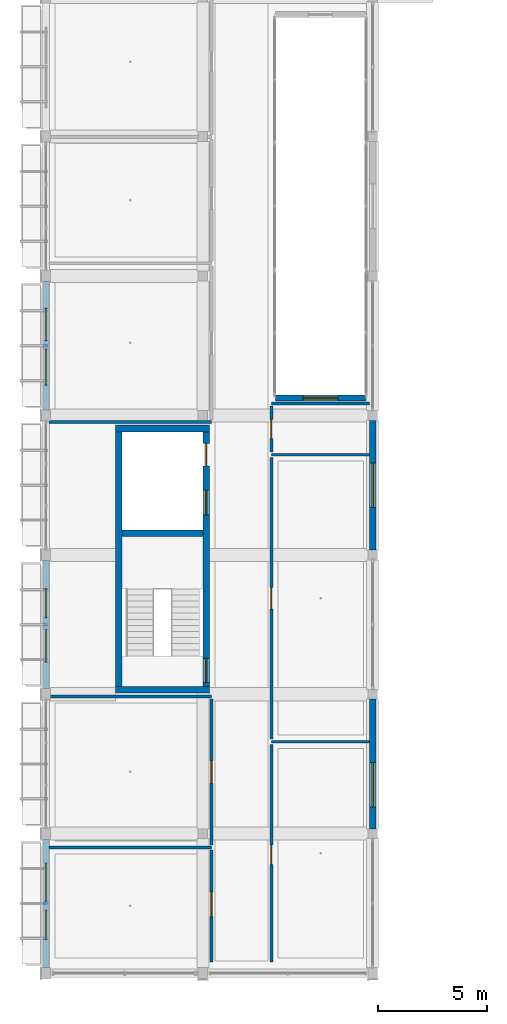
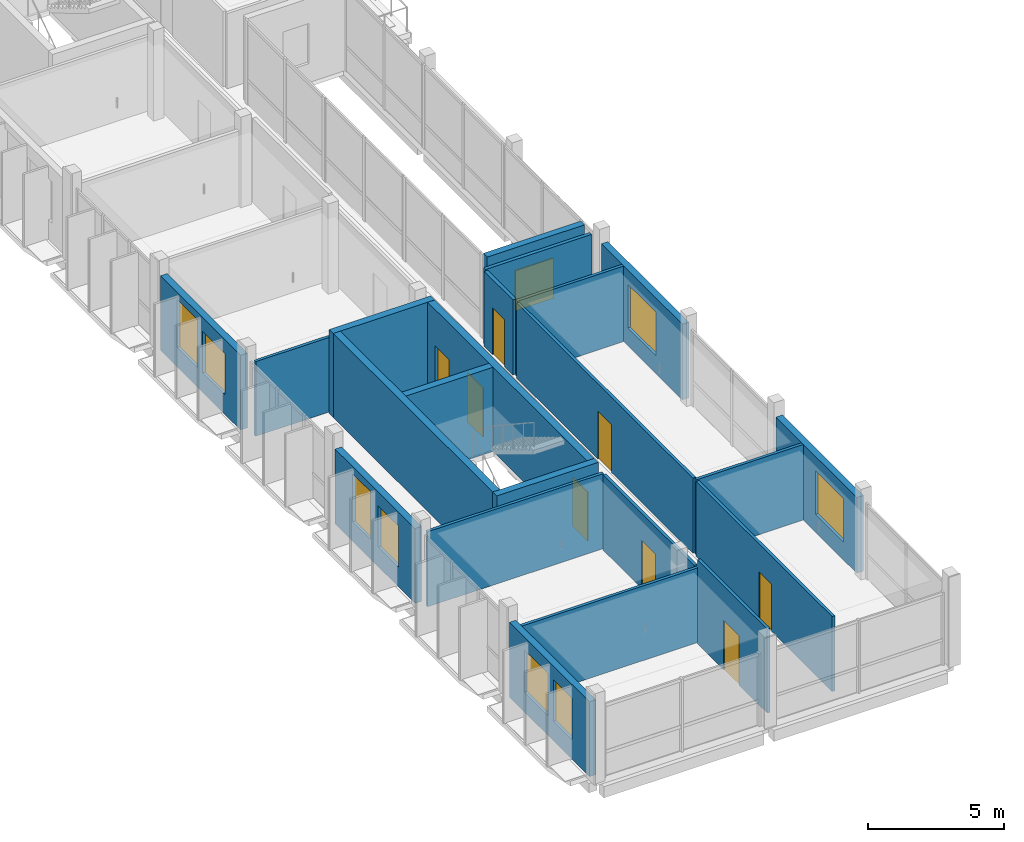
# One storey, part 22 of 48: 22 walls, 9 windows, 8 doors, 17 openings.
"""IFC4 building model written with IfcOpenShell, lengths in metres."""

from ifc_helpers import new_model, si_unit, derived_unit, direction, frame, frame_2d, origin, origin_with_axes, place, context, subcontext, project, spatial, rectangle, extrude, material, layer, layer_set, type_object, element, fill, save


model = new_model("IFC4")

# Units and contexts
model_context = context("Model", 3, precision=1e-05, world=origin(), true_north=direction((0.0, 1.0)))
body_context = subcontext(model_context, "Body", "Model", "MODEL_VIEW")
ifc_project = project(units=[si_unit("LENGTHUNIT", "METRE"), si_unit("AREAUNIT", "SQUARE_METRE"), si_unit("VOLUMEUNIT", "CUBIC_METRE"), si_unit("PLANEANGLEUNIT", "RADIAN"), si_unit("MASSUNIT", "GRAM", prefix="KILO"), derived_unit("THERMALTRANSMITTANCEUNIT", [(si_unit("POWERUNIT", "WATT"), 1), (si_unit("LENGTHUNIT", "METRE"), -2), (si_unit("THERMODYNAMICTEMPERATUREUNIT", "KELVIN"), -1)])], contexts=[model_context])

# Site, building, storey
site_placement = place(None, origin())
site = spatial("IfcSite", under=ifc_project, at=site_placement, CompositionType="ELEMENT")
building_placement = place(site_placement, origin())
building = spatial("IfcBuilding", under=site, at=building_placement, Name="Braskholm Square Health Centre", CompositionType="ELEMENT")
storey_placement = place(building_placement, frame((0.0, 0.0, 17.550048828125)))
storey = spatial("IfcBuildingStorey", under=building, at=storey_placement, Name="L05", CompositionType="ELEMENT", Elevation=17.550048828125)

# Wall, opening, door
ifc_material_1 = material(Name="Acoustic gypsum board partition")
ifc_layer_1 = layer(ifc_material_1, 0.125)
ifc_layer_set_1 = layer_set([ifc_layer_1], Name="Acoustic gypsum board partition")
wall_type_1 = type_object("IfcWallType", Name="ClinicalExamPartition125", PredefinedType="PARTITIONING", material=ifc_layer_set_1)
wall_1_placement = place(storey_placement, frame((11.800048828125, 4.719970703125, 0.0), z_axis=(0.0, 0.0, 1.0), x_axis=(0.0, 1.0, 0.0)))
wall_1 = element("IfcWall", 1, at=wall_1_placement, inside=storey, type_object=wall_type_1, Name="Interior partition PWALL-L05-0203", PredefinedType="PARTITIONING", context=body_context, shape_type="SweptSolid", body=[
    extrude(rectangle(XDim=5.130126953125, YDim=0.125, at=frame_2d((2.56494140625, 0.0))), origin(), (0.0, 0.0, 1.0), 3.764892578125),
])
opening_1_placement = place(wall_1_placement, frame((2.070068359375, 0.0, 0.0)))
opening_1 = element("IfcOpeningElement", 2, at=opening_1_placement, cuts=wall_1, Name="Opening D-26", PredefinedType="OPENING", context=body_context, shape_type="SweptSolid", body=[
    extrude(rectangle(XDim=1.139892578125, YDim=2.219970703125, at=frame_2d((0.56982421875, 1.10986328125))), frame((0.0, 0.072509765625, 0.0), z_axis=(0.0, -1.0, 0.0), x_axis=(1.0, 0.0, 0.0)), (0.0, 0.0, 1.0), 0.14501953125),
])
ifc_material_2 = material(Name="Architectural bronze anodised aluminium", Category="aluminium")
door_type_1 = type_object("IfcDoorType", Name="DoorExamWide1140x2220", OperationType="NOTDEFINED", PredefinedType="DOOR", material=ifc_material_2)
door_1_placement = place(opening_1_placement, origin_with_axes())
door_1 = element("IfcDoor", 3, at=door_1_placement, inside=storey, type_object=door_type_1, Name="Interior door 0094 L05", OperationType="SINGLE_SWING_RIGHT", OverallHeight=2.219970703125, OverallWidth=1.139892578125, PredefinedType="DOOR", context=body_context, shape_type="SweptSolid", body=[
    extrude(rectangle(XDim=1.139892578125, YDim=2.219970703125, at=frame_2d((0.56982421875, 1.10986328125))), frame((0.0, 0.02490234375, 0.0), z_axis=(0.0, -1.0, 0.0), x_axis=(1.0, 0.0, 0.0)), (0.0, 0.0, 1.0), 0.050048828125),
])
fill(opening_1, door_1)

# Wall
wall_2_placement = place(storey_placement, frame((4.340087890625, 9.969970703125, 0.0), z_axis=(0.0, 0.0, 1.0), x_axis=(1.0, 0.0, 0.0)))
element("IfcWall", 4, at=wall_2_placement, inside=storey, type_object=wall_type_1, Name="Interior partition PWALL-L05-0204", PredefinedType="PARTITIONING", context=body_context, shape_type="SweptSolid", body=[
    extrude(rectangle(XDim=7.4599609375, YDim=0.125, at=frame_2d((3.72998046875, 0.0))), origin(), (0.0, 0.0, 1.0), 3.344970703125),
])

# Wall, opening, door
wall_3_placement = place(storey_placement, frame((11.800048828125, 10.090087890625, 0.0), z_axis=(0.0, 0.0, 1.0), x_axis=(0.0, 1.0, 0.0)))
wall_3 = element("IfcWall", 5, at=wall_3_placement, inside=storey, type_object=wall_type_1, Name="Interior partition PWALL-L05-0205", PredefinedType="PARTITIONING", context=body_context, shape_type="SweptSolid", body=[
    extrude(rectangle(XDim=6.68994140625, YDim=0.125, at=frame_2d((3.344970703125, 0.0))), origin(), (0.0, 0.0, 1.0), 3.364990234375),
])
opening_2_placement = place(wall_3_placement, frame((2.844970703125, 0.0, 0.0)))
opening_2 = element("IfcOpeningElement", 6, at=opening_2_placement, cuts=wall_3, Name="Opening D-02", PredefinedType="OPENING", context=body_context, shape_type="SweptSolid", body=[
    extrude(rectangle(XDim=1.0, YDim=2.14990234375, at=frame_2d((0.5, 1.074951171875))), frame((0.0, 0.072509765625, 0.0), z_axis=(0.0, -1.0, 0.0), x_axis=(1.0, 0.0, 0.0)), (0.0, 0.0, 1.0), 0.14501953125),
])
door_type_2 = type_object("IfcDoorType", Name="DoorExamSingle1000x2150", OperationType="NOTDEFINED", PredefinedType="DOOR", material=ifc_material_2)
door_2_placement = place(opening_2_placement, origin_with_axes())
door_2 = element("IfcDoor", 7, at=door_2_placement, inside=storey, type_object=door_type_2, Name="Interior door 0095 L05", OperationType="SINGLE_SWING_LEFT", OverallHeight=2.14990234375, OverallWidth=1.0, PredefinedType="DOOR", context=body_context, shape_type="SweptSolid", body=[
    extrude(rectangle(XDim=1.0, YDim=2.14990234375, at=frame_2d((0.5, 1.074951171875))), frame((0.0, 0.02490234375, 0.0), z_axis=(0.0, -1.0, 0.0), x_axis=(1.0, 0.0, 0.0)), (0.0, 0.0, 1.0), 0.050048828125),
])
fill(opening_2, door_2)

# Walls
wall_4_placement = place(storey_placement, frame((4.340087890625, 16.89990234375, 0.0), z_axis=(0.0, 0.0, 1.0), x_axis=(1.0, 0.0, 0.0)))
element("IfcWall", 8, at=wall_4_placement, inside=storey, type_object=wall_type_1, Name="Interior partition PWALL-L05-0206", PredefinedType="PARTITIONING", context=body_context, shape_type="SweptSolid", body=[
    extrude(rectangle(XDim=7.4599609375, YDim=0.125, at=frame_2d((3.72998046875, 0.0))), origin(), (0.0, 0.0, 1.0), 3.364990234375),
])
wall_5_placement = place(storey_placement, frame((4.340087890625, 29.5, 0.0), z_axis=(0.0, 0.0, 1.0), x_axis=(1.0, 0.0, 0.0)))
element("IfcWall", 9, at=wall_5_placement, inside=storey, type_object=wall_type_1, Name="Interior partition PWALL-L05-0209", PredefinedType="PARTITIONING", context=body_context, shape_type="SweptSolid", body=[
    extrude(rectangle(XDim=7.4599609375, YDim=0.125, at=frame_2d((3.72998046875, 0.0))), origin(), (0.0, 0.0, 1.0), 3.344970703125),
])

# Wall, opening, door
wall_6_placement = place(storey_placement, frame((14.550048828125, 4.719970703125, 0.0), z_axis=(0.0, 0.0, 1.0), x_axis=(0.0, 1.0, 0.0)))
wall_6 = element("IfcWall", 10, at=wall_6_placement, inside=storey, type_object=wall_type_1, Name="Interior partition PWALL-L05-0227", PredefinedType="PARTITIONING", context=body_context, shape_type="SweptSolid", body=[
    extrude(rectangle(XDim=9.97998046875, YDim=0.125, at=frame_2d((4.989990234375, 0.0))), origin(), (0.0, 0.0, 1.0), 3.364990234375),
])
opening_3_placement = place(wall_6_placement, frame((4.465087890625, 0.0, 0.0)))
opening_3 = element("IfcOpeningElement", 11, at=opening_3_placement, cuts=wall_6, Name="Opening D-07", PredefinedType="OPENING", context=body_context, shape_type="SweptSolid", body=[
    extrude(rectangle(XDim=0.89990234375, YDim=2.1201171875, at=frame_2d((0.449951171875, 1.06005859375))), frame((0.0, 0.072509765625, 0.0), z_axis=(0.0, -1.0, 0.0), x_axis=(1.0, 0.0, 0.0)), (0.0, 0.0, 1.0), 0.14501953125),
])
door_type_3 = type_object("IfcDoorType", Name="DoorProviderOffice900x2120", OperationType="NOTDEFINED", PredefinedType="DOOR", material=ifc_material_2)
door_3_placement = place(opening_3_placement, frame((0.89990234375, 0.0, 0.0), z_axis=(0.0, 0.0, 1.0), x_axis=(-1.0, 0.0, 0.0)))
door_3 = element("IfcDoor", 12, at=door_3_placement, inside=storey, type_object=door_type_3, Name="Interior door 0105 L05", OperationType="SINGLE_SWING_LEFT", OverallHeight=2.1201171875, OverallWidth=0.89990234375, PredefinedType="DOOR", context=body_context, shape_type="SweptSolid", body=[
    extrude(rectangle(XDim=0.89990234375, YDim=2.1201171875, at=frame_2d((0.449951171875, 1.06005859375))), frame((0.0, 0.02490234375, 0.0), z_axis=(0.0, -1.0, 0.0), x_axis=(1.0, 0.0, 0.0)), (0.0, 0.0, 1.0), 0.050048828125),
])
fill(opening_3, door_3)

# Wall
wall_7_placement = place(storey_placement, frame((14.550048828125, 14.820068359375, 0.0), z_axis=(0.0, 0.0, 1.0), x_axis=(1.0, 0.0, 0.0)))
element("IfcWall", 13, at=wall_7_placement, inside=storey, type_object=wall_type_1, Name="Interior partition PWALL-L05-0228", PredefinedType="PARTITIONING", context=body_context, shape_type="SweptSolid", body=[
    extrude(rectangle(XDim=4.510009765625, YDim=0.125, at=frame_2d((2.2548828125, 0.0))), origin(), (0.0, 0.0, 1.0), 3.385009765625),
])

# Wall, opening, door
wall_8_placement = place(storey_placement, frame((14.550048828125, 14.93994140625, 0.0), z_axis=(0.0, 0.0, 1.0), x_axis=(0.0, 1.0, 0.0)))
wall_8 = element("IfcWall", 14, at=wall_8_placement, inside=storey, type_object=wall_type_1, Name="Interior partition PWALL-L05-0229", PredefinedType="PARTITIONING", context=body_context, shape_type="SweptSolid", body=[
    extrude(rectangle(XDim=12.93994140625, YDim=0.125, at=frame_2d((6.469970703125, 0.0))), origin(), (0.0, 0.0, 1.0), 3.364990234375),
])
opening_4_placement = place(wall_8_placement, frame((5.969970703125, 0.0, 0.0)))
opening_4 = element("IfcOpeningElement", 15, at=opening_4_placement, cuts=wall_8, Name="Opening D-02", PredefinedType="OPENING", context=body_context, shape_type="SweptSolid", body=[
    extrude(rectangle(XDim=1.0, YDim=2.14990234375, at=frame_2d((0.5, 1.074951171875))), frame((0.0, 0.072509765625, 0.0), z_axis=(0.0, -1.0, 0.0), x_axis=(1.0, 0.0, 0.0)), (0.0, 0.0, 1.0), 0.14501953125),
])
door_4_placement = place(opening_4_placement, frame((1.0, 0.0, 0.0), z_axis=(0.0, 0.0, 1.0), x_axis=(-1.0, 0.0, 0.0)))
door_4 = element("IfcDoor", 16, at=door_4_placement, inside=storey, type_object=door_type_2, Name="Interior door 0106 L05", OperationType="SINGLE_SWING_RIGHT", OverallHeight=2.14990234375, OverallWidth=1.0, PredefinedType="DOOR", context=body_context, shape_type="SweptSolid", body=[
    extrude(rectangle(XDim=1.0, YDim=2.14990234375, at=frame_2d((0.5, 1.074951171875))), frame((0.0, 0.02490234375, 0.0), z_axis=(0.0, -1.0, 0.0), x_axis=(1.0, 0.0, 0.0)), (0.0, 0.0, 1.0), 0.050048828125),
])
fill(opening_4, door_4)

# Wall
wall_9_placement = place(storey_placement, frame((14.550048828125, 28.0, 0.0), z_axis=(0.0, 0.0, 1.0), x_axis=(1.0, 0.0, 0.0)))
element("IfcWall", 17, at=wall_9_placement, inside=storey, type_object=wall_type_1, Name="Interior partition PWALL-L05-0230", PredefinedType="PARTITIONING", context=body_context, shape_type="SweptSolid", body=[
    extrude(rectangle(XDim=4.510009765625, YDim=0.125, at=frame_2d((2.2548828125, 0.0))), origin(), (0.0, 0.0, 1.0), 3.385009765625),
])

# Wall, opening, door
ifc_layer_2 = layer(ifc_material_1, 0.14990234375)
ifc_layer_set_2 = layer_set([ifc_layer_2], Name="Acoustic gypsum board partition")
wall_type_2 = type_object("IfcWallType", Name="CorridorAcousticPartition150", PredefinedType="PARTITIONING", material=ifc_layer_set_2)
wall_10_placement = place(storey_placement, frame((14.550048828125, 28.1201171875, 0.0), z_axis=(0.0, 0.0, 1.0), x_axis=(0.0, 1.0, 0.0)))
wall_10 = element("IfcWall", 18, at=wall_10_placement, inside=storey, type_object=wall_type_2, Name="Interior partition PWALL-L05-0231", PredefinedType="PARTITIONING", context=body_context, shape_type="SweptSolid", body=[
    extrude(rectangle(XDim=2.10986328125, YDim=0.14990234375, at=frame_2d((1.054931640625, 0.0))), origin(), (0.0, 0.0, 1.0), 3.364990234375),
])
opening_5_placement = place(wall_10_placement, frame((0.614990234375, 0.0, 0.0)))
opening_5 = element("IfcOpeningElement", 19, at=opening_5_placement, cuts=wall_10, Name="Opening D-06", PredefinedType="OPENING", context=body_context, shape_type="SweptSolid", body=[
    extrude(rectangle(XDim=0.8798828125, YDim=2.10009765625, at=frame_2d((0.43994140625, 1.050048828125))), frame((0.0, 0.0849609375, 0.0), z_axis=(0.0, -1.0, 0.0), x_axis=(1.0, 0.0, 0.0)), (0.0, 0.0, 1.0), 0.169921875),
])
door_type_4 = type_object("IfcDoorType", Name="DoorStaffWC880x2100", OperationType="NOTDEFINED", PredefinedType="DOOR", material=ifc_material_2)
door_5_placement = place(opening_5_placement, frame((0.8798828125, 0.0, 0.0), z_axis=(0.0, 0.0, 1.0), x_axis=(-1.0, 0.0, 0.0)))
door_5 = element("IfcDoor", 20, at=door_5_placement, inside=storey, type_object=door_type_4, Name="Interior door 0107 L05", OperationType="SINGLE_SWING_LEFT", OverallHeight=2.10009765625, OverallWidth=0.8798828125, PredefinedType="DOOR", context=body_context, shape_type="SweptSolid", body=[
    extrude(rectangle(XDim=0.8798828125, YDim=2.10009765625, at=frame_2d((0.43994140625, 1.050048828125))), frame((0.0, 0.02490234375, 0.0), z_axis=(0.0, -1.0, 0.0), x_axis=(1.0, 0.0, 0.0)), (0.0, 0.0, 1.0), 0.050048828125),
])
fill(opening_5, door_5)

# Wall
wall_11_placement = place(storey_placement, frame((14.550048828125, 30.35009765625, 0.0), z_axis=(0.0, 0.0, 1.0), x_axis=(1.0, 0.0, 0.0)))
element("IfcWall", 21, at=wall_11_placement, inside=storey, type_object=wall_type_2, Name="Interior partition PWALL-L05-0232", PredefinedType="PARTITIONING", context=body_context, shape_type="SweptSolid", body=[
    extrude(rectangle(XDim=4.510009765625, YDim=0.14990234375, at=frame_2d((2.2548828125, 0.0))), origin(), (0.0, 0.0, 1.0), 3.385009765625),
])

# Wall, openings, windows
ifc_material_3 = material(Name="Precast concrete C40/50 architectural white", Category="concrete")
ifc_layer_3 = layer(ifc_material_3, 0.280029296875)
ifc_layer_set_3 = layer_set([ifc_layer_3], Name="Precast concrete C40/50 architectural white")
wall_type_3 = type_object("IfcWallType", Name="ExteriorPrecastSpandrelWall280", PredefinedType="SOLIDWALL", material=ifc_layer_set_3)
wall_12_placement = place(storey_placement, frame((4.199951171875, 10.337890625, 0.0), z_axis=(0.0, 0.0, 1.0), x_axis=(0.0, -1.0, 0.0)))
wall_12 = element("IfcWall", 22, at=wall_12_placement, inside=storey, type_object=wall_type_3, Name="Exterior wall EWALL-L05-0036", PredefinedType="SOLIDWALL", context=body_context, shape_type="SweptSolid", body=[
    extrude(rectangle(XDim=5.8759765625, YDim=0.280029296875, at=frame_2d((2.93798828125, 0.0))), origin(), (0.0, 0.0, 1.0), 3.349853515625),
])
opening_6_placement = place(wall_12_placement, frame((1.089111328125, 0.0, 0.8798828125)))
opening_6 = element("IfcOpeningElement", 23, at=opening_6_placement, cuts=wall_12, Name="Opening WN-38", PredefinedType="OPENING", context=body_context, shape_type="SweptSolid", body=[
    extrude(rectangle(XDim=1.739990234375, YDim=1.89990234375, at=frame_2d((0.8701171875, 0.949951171875))), frame((0.0, 0.14990234375, 0.0), z_axis=(0.0, -1.0, 0.0), x_axis=(1.0, 0.0, 0.0)), (0.0, 0.0, 1.0), 0.300048828125),
])
opening_7_placement = place(wall_12_placement, frame((3.241943359375, 0.0, 0.8798828125)))
opening_7 = element("IfcOpeningElement", 24, at=opening_7_placement, cuts=wall_12, Name="Opening WN-08", PredefinedType="OPENING", context=body_context, shape_type="SweptSolid", body=[
    extrude(rectangle(XDim=1.35009765625, YDim=1.85009765625, at=frame_2d((0.675048828125, 0.925048828125))), frame((0.0, 0.14990234375, 0.0), z_axis=(0.0, -1.0, 0.0), x_axis=(1.0, 0.0, 0.0)), (0.0, 0.0, 1.0), 0.300048828125),
])
ifc_material_4 = material(Name="Low-E triple insulating glass (VLT 0.64)", Category="glass")
window_type_1 = type_object("IfcWindowType", Name="WinArtDecoWide1740x1900", PartitioningType="SINGLE_PANEL", PredefinedType="WINDOW", material=ifc_material_4)
window_1_placement = place(opening_6_placement, origin_with_axes())
window_1 = element("IfcWindow", 25, at=window_1_placement, inside=storey, type_object=window_type_1, Name="Exterior window 0067 L05", OverallHeight=1.89990234375, OverallWidth=1.739990234375, PartitioningType="SINGLE_PANEL", PredefinedType="WINDOW", context=body_context, shape_type="SweptSolid", body=[
    extrude(rectangle(XDim=1.739990234375, YDim=1.89990234375, at=frame_2d((0.8701171875, 0.949951171875))), frame((0.0, 0.030029296875, 0.0), z_axis=(0.0, -1.0, 0.0), x_axis=(1.0, 0.0, 0.0)), (0.0, 0.0, 1.0), 0.06005859375),
])
fill(opening_6, window_1)
window_type_2 = type_object("IfcWindowType", Name="WinClinicalBay1350x1850", PartitioningType="SINGLE_PANEL", PredefinedType="WINDOW", material=ifc_material_4)
window_2_placement = place(opening_7_placement, origin_with_axes())
window_2 = element("IfcWindow", 26, at=window_2_placement, inside=storey, type_object=window_type_2, Name="Exterior window 0068 L05", OverallHeight=1.85009765625, OverallWidth=1.35009765625, PartitioningType="SINGLE_PANEL", PredefinedType="WINDOW", context=body_context, shape_type="SweptSolid", body=[
    extrude(rectangle(XDim=1.35009765625, YDim=1.85009765625, at=frame_2d((0.675048828125, 0.925048828125))), frame((0.0, 0.030029296875, 0.0), z_axis=(0.0, -1.0, 0.0), x_axis=(1.0, 0.0, 0.0)), (0.0, 0.0, 1.0), 0.06005859375),
])
fill(opening_7, window_2)

wall_13_placement = place(storey_placement, frame((4.199951171875, 23.137939453125, 0.0), z_axis=(0.0, 0.0, 1.0), x_axis=(0.0, -1.0, 0.0)))
wall_13 = element("IfcWall", 27, at=wall_13_placement, inside=storey, type_object=wall_type_3, Name="Exterior wall EWALL-L05-0037", PredefinedType="SOLIDWALL", context=body_context, shape_type="SweptSolid", body=[
    extrude(rectangle(XDim=5.8759765625, YDim=0.280029296875, at=frame_2d((2.93798828125, 0.0))), origin(), (0.0, 0.0, 1.0), 3.349853515625),
])
opening_8_placement = place(wall_13_placement, frame((1.299072265625, 0.0, 0.8798828125)))
opening_8 = element("IfcOpeningElement", 28, at=opening_8_placement, cuts=wall_13, Name="Opening WN-39", PredefinedType="OPENING", context=body_context, shape_type="SweptSolid", body=[
    extrude(rectangle(XDim=1.320068359375, YDim=2.14990234375, at=frame_2d((0.66015625, 1.074951171875))), frame((0.0, 0.14990234375, 0.0), z_axis=(0.0, -1.0, 0.0), x_axis=(1.0, 0.0, 0.0)), (0.0, 0.0, 1.0), 0.300048828125),
])
opening_9_placement = place(wall_13_placement, frame((3.1669921875, 0.0, 0.8798828125)))
opening_9 = element("IfcOpeningElement", 29, at=opening_9_placement, cuts=wall_13, Name="Opening WN-09", PredefinedType="OPENING", context=body_context, shape_type="SweptSolid", body=[
    extrude(rectangle(XDim=1.5, YDim=1.85009765625, at=frame_2d((0.75, 0.925048828125))), frame((0.0, 0.14990234375, 0.0), z_axis=(0.0, -1.0, 0.0), x_axis=(1.0, 0.0, 0.0)), (0.0, 0.0, 1.0), 0.300048828125),
])
window_type_3 = type_object("IfcWindowType", Name="WinArtDecoTall1320x2150", PartitioningType="SINGLE_PANEL", PredefinedType="WINDOW", material=ifc_material_4)
window_3_placement = place(opening_8_placement, origin_with_axes())
window_3 = element("IfcWindow", 30, at=window_3_placement, inside=storey, type_object=window_type_3, Name="Exterior window 0069 L05", OverallHeight=2.14990234375, OverallWidth=1.320068359375, PartitioningType="SINGLE_PANEL", PredefinedType="WINDOW", context=body_context, shape_type="SweptSolid", body=[
    extrude(rectangle(XDim=1.320068359375, YDim=2.14990234375, at=frame_2d((0.66015625, 1.074951171875))), frame((0.0, 0.030029296875, 0.0), z_axis=(0.0, -1.0, 0.0), x_axis=(1.0, 0.0, 0.0)), (0.0, 0.0, 1.0), 0.06005859375),
])
fill(opening_8, window_3)
window_type_4 = type_object("IfcWindowType", Name="WinClinicalBay1500x1850", PartitioningType="SINGLE_PANEL", PredefinedType="WINDOW", material=ifc_material_4)
window_4_placement = place(opening_9_placement, origin_with_axes())
window_4 = element("IfcWindow", 31, at=window_4_placement, inside=storey, type_object=window_type_4, Name="Exterior window 0070 L05", OverallHeight=1.85009765625, OverallWidth=1.5, PartitioningType="SINGLE_PANEL", PredefinedType="WINDOW", context=body_context, shape_type="SweptSolid", body=[
    extrude(rectangle(XDim=1.5, YDim=1.85009765625, at=frame_2d((0.75, 0.925048828125))), frame((0.0, 0.030029296875, 0.0), z_axis=(0.0, -1.0, 0.0), x_axis=(1.0, 0.0, 0.0)), (0.0, 0.0, 1.0), 0.06005859375),
])
fill(opening_9, window_4)

wall_14_placement = place(storey_placement, frame((4.199951171875, 35.93798828125, 0.0), z_axis=(0.0, 0.0, 1.0), x_axis=(0.0, -1.0, 0.0)))
wall_14 = element("IfcWall", 32, at=wall_14_placement, inside=storey, type_object=wall_type_3, Name="Exterior wall EWALL-L05-0038", PredefinedType="SOLIDWALL", context=body_context, shape_type="SweptSolid", body=[
    extrude(rectangle(XDim=5.8759765625, YDim=0.280029296875, at=frame_2d((2.93798828125, 0.0))), origin(), (0.0, 0.0, 1.0), 3.349853515625),
])
opening_10_placement = place(wall_14_placement, frame((1.218994140625, 0.0, 0.8798828125)))
opening_10 = element("IfcOpeningElement", 33, at=opening_10_placement, cuts=wall_14, Name="Opening WN-40", PredefinedType="OPENING", context=body_context, shape_type="SweptSolid", body=[
    extrude(rectangle(XDim=1.47998046875, YDim=2.14990234375, at=frame_2d((0.739990234375, 1.074951171875))), frame((0.0, 0.14990234375, 0.0), z_axis=(0.0, -1.0, 0.0), x_axis=(1.0, 0.0, 0.0)), (0.0, 0.0, 1.0), 0.300048828125),
])
opening_11_placement = place(wall_14_placement, frame((3.092041015625, 0.0, 0.8798828125)))
opening_11 = element("IfcOpeningElement", 34, at=opening_11_placement, cuts=wall_14, Name="Opening WN-10", PredefinedType="OPENING", context=body_context, shape_type="SweptSolid", body=[
    extrude(rectangle(XDim=1.64990234375, YDim=1.85009765625, at=frame_2d((0.824951171875, 0.925048828125))), frame((0.0, 0.14990234375, 0.0), z_axis=(0.0, -1.0, 0.0), x_axis=(1.0, 0.0, 0.0)), (0.0, 0.0, 1.0), 0.300048828125),
])
window_type_5 = type_object("IfcWindowType", Name="WinArtDecoTall1480x2150", PartitioningType="SINGLE_PANEL", PredefinedType="WINDOW", material=ifc_material_4)
window_5_placement = place(opening_10_placement, origin_with_axes())
window_5 = element("IfcWindow", 35, at=window_5_placement, inside=storey, type_object=window_type_5, Name="Exterior window 0071 L05", OverallHeight=2.14990234375, OverallWidth=1.47998046875, PartitioningType="SINGLE_PANEL", PredefinedType="WINDOW", context=body_context, shape_type="SweptSolid", body=[
    extrude(rectangle(XDim=1.47998046875, YDim=2.14990234375, at=frame_2d((0.739990234375, 1.074951171875))), frame((0.0, 0.030029296875, 0.0), z_axis=(0.0, -1.0, 0.0), x_axis=(1.0, 0.0, 0.0)), (0.0, 0.0, 1.0), 0.06005859375),
])
fill(opening_10, window_5)
window_type_6 = type_object("IfcWindowType", Name="WinClinicalBay1650x1850", PartitioningType="SINGLE_PANEL", PredefinedType="WINDOW", material=ifc_material_4)
window_6_placement = place(opening_11_placement, origin_with_axes())
window_6 = element("IfcWindow", 36, at=window_6_placement, inside=storey, type_object=window_type_6, Name="Exterior window 0072 L05", OverallHeight=1.85009765625, OverallWidth=1.64990234375, PartitioningType="SINGLE_PANEL", PredefinedType="WINDOW", context=body_context, shape_type="SweptSolid", body=[
    extrude(rectangle(XDim=1.64990234375, YDim=1.85009765625, at=frame_2d((0.824951171875, 0.925048828125))), frame((0.0, 0.030029296875, 0.0), z_axis=(0.0, -1.0, 0.0), x_axis=(1.0, 0.0, 0.0)), (0.0, 0.0, 1.0), 0.06005859375),
])
fill(opening_11, window_6)

# Wall, opening, window
wall_15_placement = place(storey_placement, frame((19.199951171875, 10.826904296875, 0.0), z_axis=(0.0, 0.0, 1.0), x_axis=(0.0, 1.0, 0.0)))
wall_15 = element("IfcWall", 37, at=wall_15_placement, inside=storey, type_object=wall_type_3, Name="Exterior wall EWALL-L05-0140", PredefinedType="SOLIDWALL", context=body_context, shape_type="SweptSolid", body=[
    extrude(rectangle(XDim=5.946044921875, YDim=0.280029296875, at=frame_2d((2.97314453125, 0.0))), origin(), (0.0, 0.0, 1.0), 3.389892578125),
])
opening_12_placement = place(wall_15_placement, frame((0.990966796875, 0.0, 0.800048828125)))
opening_12 = element("IfcOpeningElement", 38, at=opening_12_placement, cuts=wall_15, Name="Opening WN-25", PredefinedType="OPENING", context=body_context, shape_type="SweptSolid", body=[
    extrude(rectangle(XDim=2.050048828125, YDim=1.949951171875, at=frame_2d((1.02490234375, 0.97509765625))), frame((0.0, 0.14990234375, 0.0), z_axis=(0.0, -1.0, 0.0), x_axis=(1.0, 0.0, 0.0)), (0.0, 0.0, 1.0), 0.300048828125),
])
window_type_7 = type_object("IfcWindowType", Name="WinValleyTerrace2050x1950", PartitioningType="SINGLE_PANEL", PredefinedType="WINDOW", material=ifc_material_4)
window_7_placement = place(opening_12_placement, origin_with_axes())
window_7 = element("IfcWindow", 39, at=window_7_placement, inside=storey, type_object=window_type_7, Name="Exterior window 0200 L05", OverallHeight=1.949951171875, OverallWidth=2.050048828125, PartitioningType="SINGLE_PANEL", PredefinedType="WINDOW", context=body_context, shape_type="SweptSolid", body=[
    extrude(rectangle(XDim=2.050048828125, YDim=1.949951171875, at=frame_2d((1.02490234375, 0.97509765625))), frame((0.0, 0.030029296875, 0.0), z_axis=(0.0, -1.0, 0.0), x_axis=(1.0, 0.0, 0.0)), (0.0, 0.0, 1.0), 0.06005859375),
])
fill(opening_12, window_7)

wall_16_placement = place(storey_placement, frame((19.199951171875, 23.626953125, 0.0), z_axis=(0.0, 0.0, 1.0), x_axis=(0.0, 1.0, 0.0)))
wall_16 = element("IfcWall", 40, at=wall_16_placement, inside=storey, type_object=wall_type_3, Name="Exterior wall EWALL-L05-0141", PredefinedType="SOLIDWALL", context=body_context, shape_type="SweptSolid", body=[
    extrude(rectangle(XDim=5.946044921875, YDim=0.280029296875, at=frame_2d((2.97314453125, 0.0))), origin(), (0.0, 0.0, 1.0), 3.389892578125),
])
opening_13_placement = place(wall_16_placement, frame((1.947998046875, 0.0, 0.800048828125)))
opening_13 = element("IfcOpeningElement", 41, at=opening_13_placement, cuts=wall_16, Name="Opening WN-25", PredefinedType="OPENING", context=body_context, shape_type="SweptSolid", body=[
    extrude(rectangle(XDim=2.050048828125, YDim=1.949951171875, at=frame_2d((1.02490234375, 0.97509765625))), frame((0.0, 0.14990234375, 0.0), z_axis=(0.0, -1.0, 0.0), x_axis=(1.0, 0.0, 0.0)), (0.0, 0.0, 1.0), 0.300048828125),
])
window_8_placement = place(opening_13_placement, origin_with_axes())
window_8 = element("IfcWindow", 42, at=window_8_placement, inside=storey, type_object=window_type_7, Name="Exterior window 0201 L05", OverallHeight=1.949951171875, OverallWidth=2.050048828125, PartitioningType="SINGLE_PANEL", PredefinedType="WINDOW", context=body_context, shape_type="SweptSolid", body=[
    extrude(rectangle(XDim=2.050048828125, YDim=1.949951171875, at=frame_2d((1.02490234375, 0.97509765625))), frame((0.0, 0.030029296875, 0.0), z_axis=(0.0, -1.0, 0.0), x_axis=(1.0, 0.0, 0.0)), (0.0, 0.0, 1.0), 0.06005859375),
])
fill(opening_13, window_8)

wall_17_placement = place(storey_placement, frame((18.865966796875, 30.60009765625, 0.0), z_axis=(0.0, 0.0, 1.0), x_axis=(-1.0, 0.0, 0.0)))
wall_17 = element("IfcWall", 43, at=wall_17_placement, inside=storey, type_object=wall_type_3, Name="Exterior wall EWALL-L05-0291", PredefinedType="SOLIDWALL", context=body_context, shape_type="SweptSolid", body=[
    extrude(rectangle(XDim=4.132080078125, YDim=0.280029296875, at=frame_2d((2.06591796875, 0.0))), origin(), (0.0, 0.0, 1.0), 3.77001953125),
])
opening_14_placement = place(wall_17_placement, frame((1.26611328125, 0.0, 0.85009765625)))
opening_14 = element("IfcOpeningElement", 44, at=opening_14_placement, cuts=wall_17, Name="Opening WN-27", PredefinedType="OPENING", context=body_context, shape_type="SweptSolid", body=[
    extrude(rectangle(XDim=1.60009765625, YDim=1.800048828125, at=frame_2d((0.800048828125, 0.89990234375))), frame((0.0, 0.14990234375, 0.0), z_axis=(0.0, -1.0, 0.0), x_axis=(1.0, 0.0, 0.0)), (0.0, 0.0, 1.0), 0.300048828125),
])
window_type_8 = type_object("IfcWindowType", Name="WinLightCourt1600x1800", PartitioningType="SINGLE_PANEL", PredefinedType="WINDOW", material=ifc_material_4)
window_9_placement = place(opening_14_placement, origin_with_axes())
window_9 = element("IfcWindow", 45, at=window_9_placement, inside=storey, type_object=window_type_8, Name="Exterior window 0337 L05", OverallHeight=1.800048828125, OverallWidth=1.60009765625, PartitioningType="SINGLE_PANEL", PredefinedType="WINDOW", context=body_context, shape_type="SweptSolid", body=[
    extrude(rectangle(XDim=1.60009765625, YDim=1.800048828125, at=frame_2d((0.800048828125, 0.89990234375))), frame((0.0, 0.030029296875, 0.0), z_axis=(0.0, -1.0, 0.0), x_axis=(1.0, 0.0, 0.0)), (0.0, 0.0, 1.0), 0.06005859375),
])
fill(opening_14, window_9)

# Walls
ifc_material_5 = material(Name="Concrete C40/50 (f'c = 40 MPa)", Category="concrete")
ifc_layer_4 = layer(ifc_material_5, 0.300048828125)
ifc_layer_set_4 = layer_set([ifc_layer_4], Name="Concrete C40/50 (f'c = 40 MPa)")
wall_type_4 = type_object("IfcWallType", Name="ShearCoreWall300", PredefinedType="SHEAR", material=ifc_layer_set_4)
for number, where, z_axis, x_axis, name in (
    (46, (7.39990234375, 17.199951171875, 0.0), (0.0, 0.0, 1.0), (1.0, 0.0, 0.0), "CWALL-K1-L05 south wall"),
    (47, (11.699951171875, 29.199951171875, 0.0), (0.0, 0.0, 1.0), (-1.0, 0.0, 0.0), "CWALL-K1-L05 north wall"),
):
    element("IfcWall", number, at=place(storey_placement, frame(where, z_axis=z_axis, x_axis=x_axis)), inside=storey, type_object=wall_type_4, Name=name, PredefinedType="SHEAR", context=body_context, shape_type="SweptSolid", body=[
        extrude(rectangle(XDim=4.300048828125, YDim=0.300048828125, at=frame_2d((2.14990234375, 0.0))), origin(), (0.0, 0.0, 1.0), 3.77001953125),
    ])
wall_18_placement = place(storey_placement, frame((7.550048828125, 29.050048828125, 0.0), z_axis=(0.0, 0.0, 1.0), x_axis=(0.0, -1.0, 0.0)))
element("IfcWall", 48, at=wall_18_placement, inside=storey, type_object=wall_type_4, Name="CWALL-K1-L05 west wall", PredefinedType="SHEAR", context=body_context, shape_type="SweptSolid", body=[
    extrude(rectangle(XDim=11.699951171875, YDim=0.300048828125, at=frame_2d((5.85009765625, 0.0))), origin(), (0.0, 0.0, 1.0), 3.77001953125),
])

# Wall, openings, doors
wall_19_placement = place(storey_placement, frame((11.550048828125, 17.35009765625, 0.0), z_axis=(0.0, 0.0, 1.0), x_axis=(0.0, 1.0, 0.0)))
wall_19 = element("IfcWall", 49, at=wall_19_placement, inside=storey, type_object=wall_type_4, Name="CWALL-K1-L05 east wall", PredefinedType="SHEAR", context=body_context, shape_type="SweptSolid", body=[
    extrude(rectangle(XDim=11.699951171875, YDim=0.300048828125, at=frame_2d((5.85009765625, 0.0))), origin(), (0.0, 0.0, 1.0), 3.77001953125),
])
opening_15_placement = place(wall_19_placement, frame((0.199951171875, 0.0, 0.0)))
opening_15 = element("IfcOpeningElement", 50, at=opening_15_placement, cuts=wall_19, Name="Opening D-22", PredefinedType="OPENING", context=body_context, shape_type="SweptSolid", body=[
    extrude(rectangle(XDim=1.10009765625, YDim=2.199951171875, at=frame_2d((0.550048828125, 1.10009765625))), frame((0.0, 0.16015625, 0.0), z_axis=(0.0, -1.0, 0.0), x_axis=(1.0, 0.0, 0.0)), (0.0, 0.0, 1.0), 0.320068359375),
])
opening_16_placement = place(wall_19_placement, frame((7.875, 0.0, 0.0)))
opening_16 = element("IfcOpeningElement", 51, at=opening_16_placement, cuts=wall_19, Name="Opening LD-1", PredefinedType="OPENING", context=body_context, shape_type="SweptSolid", body=[
    extrude(rectangle(XDim=1.14990234375, YDim=2.199951171875, at=frame_2d((0.574951171875, 1.10009765625))), frame((0.0, 0.16015625, 0.0), z_axis=(0.0, -1.0, 0.0), x_axis=(1.0, 0.0, 0.0)), (0.0, 0.0, 1.0), 0.320068359375),
])
opening_17_placement = place(wall_19_placement, frame((10.139892578125, 0.0, 0.0)))
opening_17 = element("IfcOpeningElement", 52, at=opening_17_placement, cuts=wall_19, Name="Opening LD-2", PredefinedType="OPENING", context=body_context, shape_type="SweptSolid", body=[
    extrude(rectangle(XDim=1.02001953125, YDim=2.14990234375, at=frame_2d((0.510009765625, 1.074951171875))), frame((0.0, 0.16015625, 0.0), z_axis=(0.0, -1.0, 0.0), x_axis=(1.0, 0.0, 0.0)), (0.0, 0.0, 1.0), 0.320068359375),
])
door_type_5 = type_object("IfcDoorType", Name="DoorLiftLandingPassenger1020x2150", OperationType="SLIDING_TO_LEFT", PredefinedType="DOOR", material=ifc_material_2)
door_6_placement = place(opening_17_placement, origin_with_axes())
door_6 = element("IfcDoor", 53, at=door_6_placement, inside=storey, type_object=door_type_5, Name="Elevator EL-03 sliding landing door L05", OperationType="SLIDING_TO_LEFT", OverallHeight=2.14990234375, OverallWidth=1.02001953125, PredefinedType="DOOR", context=body_context, shape_type="SweptSolid", body=[
    extrude(rectangle(XDim=1.02001953125, YDim=2.14990234375, at=frame_2d((0.510009765625, 1.074951171875))), frame((0.0, 0.02490234375, 0.0), z_axis=(0.0, -1.0, 0.0), x_axis=(1.0, 0.0, 0.0)), (0.0, 0.0, 1.0), 0.050048828125),
])
fill(opening_17, door_6)
door_type_6 = type_object("IfcDoorType", Name="DoorLiftLandingStretcher1150x2200", OperationType="SLIDING_TO_LEFT", PredefinedType="DOOR", material=ifc_material_2)
door_7_placement = place(opening_16_placement, origin_with_axes())
door_7 = element("IfcDoor", 54, at=door_7_placement, inside=storey, type_object=door_type_6, Name="Elevator EL-01 sliding landing door L05", OperationType="SLIDING_TO_LEFT", OverallHeight=2.199951171875, OverallWidth=1.14990234375, PredefinedType="DOOR", context=body_context, shape_type="SweptSolid", body=[
    extrude(rectangle(XDim=1.14990234375, YDim=2.199951171875, at=frame_2d((0.574951171875, 1.10009765625))), frame((0.0, 0.02490234375, 0.0), z_axis=(0.0, -1.0, 0.0), x_axis=(1.0, 0.0, 0.0)), (0.0, 0.0, 1.0), 0.050048828125),
])
fill(opening_16, door_7)
door_type_7 = type_object("IfcDoorType", Name="DoorStairEnclosure1100x2200", OperationType="NOTDEFINED", PredefinedType="DOOR", material=ifc_material_2)
door_8_placement = place(opening_15_placement, origin_with_axes())
door_8 = element("IfcDoor", 55, at=door_8_placement, inside=storey, type_object=door_type_7, Name="Stair ST-01 door L05", OperationType="SINGLE_SWING_LEFT", OverallHeight=2.199951171875, OverallWidth=1.10009765625, PredefinedType="DOOR", context=body_context, shape_type="SweptSolid", body=[
    extrude(rectangle(XDim=1.10009765625, YDim=2.199951171875, at=frame_2d((0.550048828125, 1.10009765625))), frame((0.0, 0.02490234375, 0.0), z_axis=(0.0, -1.0, 0.0), x_axis=(1.0, 0.0, 0.0)), (0.0, 0.0, 1.0), 0.050048828125),
])
fill(opening_15, door_8)

# Wall
wall_20_placement = place(storey_placement, frame((7.699951171875, 24.39990234375, 0.0), z_axis=(0.0, 0.0, 1.0), x_axis=(1.0, 0.0, 0.0)))
element("IfcWall", 56, at=wall_20_placement, inside=storey, type_object=wall_type_4, Name="Core K1 internal shear divider L05", PredefinedType="SHEAR", context=body_context, shape_type="SweptSolid", body=[
    extrude(rectangle(XDim=3.699951171875, YDim=0.300048828125, at=frame_2d((1.85009765625, 0.0))), origin(), (0.0, 0.0, 1.0), 3.77001953125),
])

save(model, "model.ifc")
